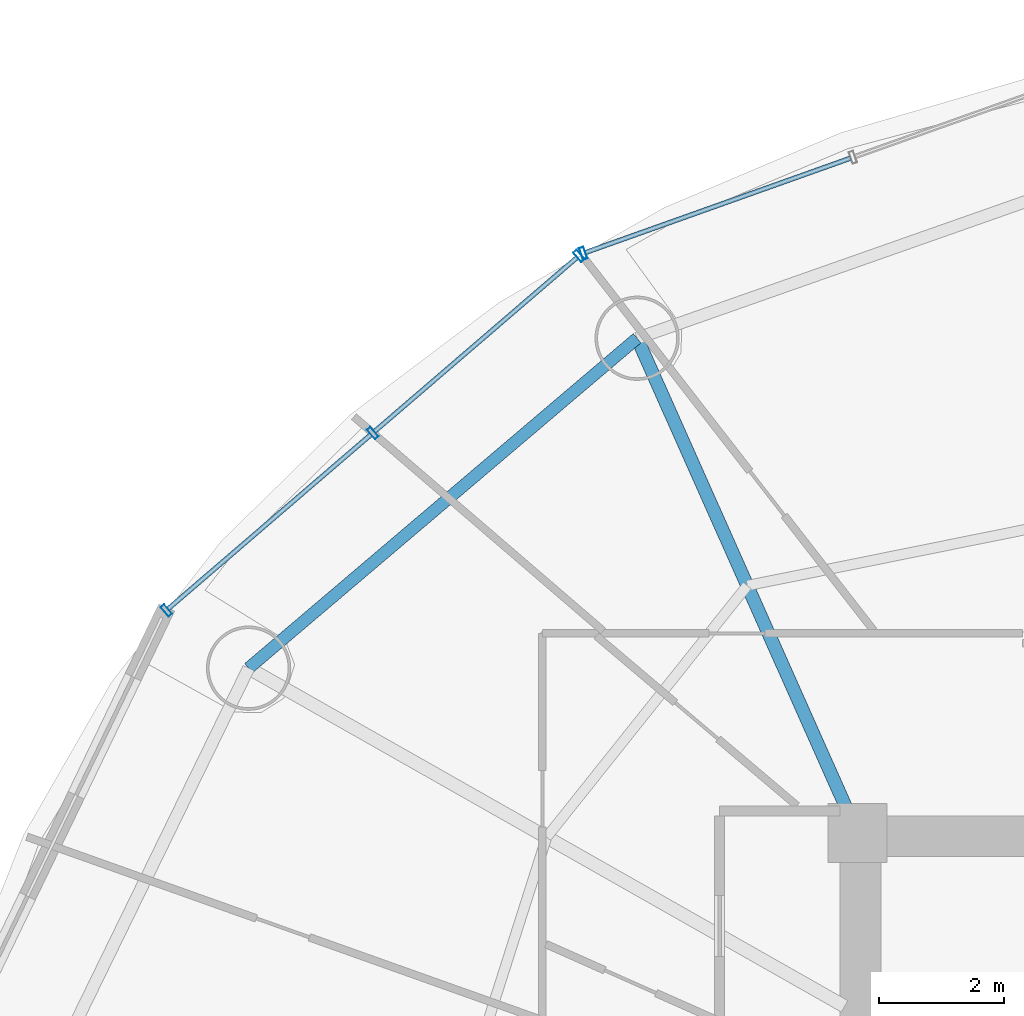
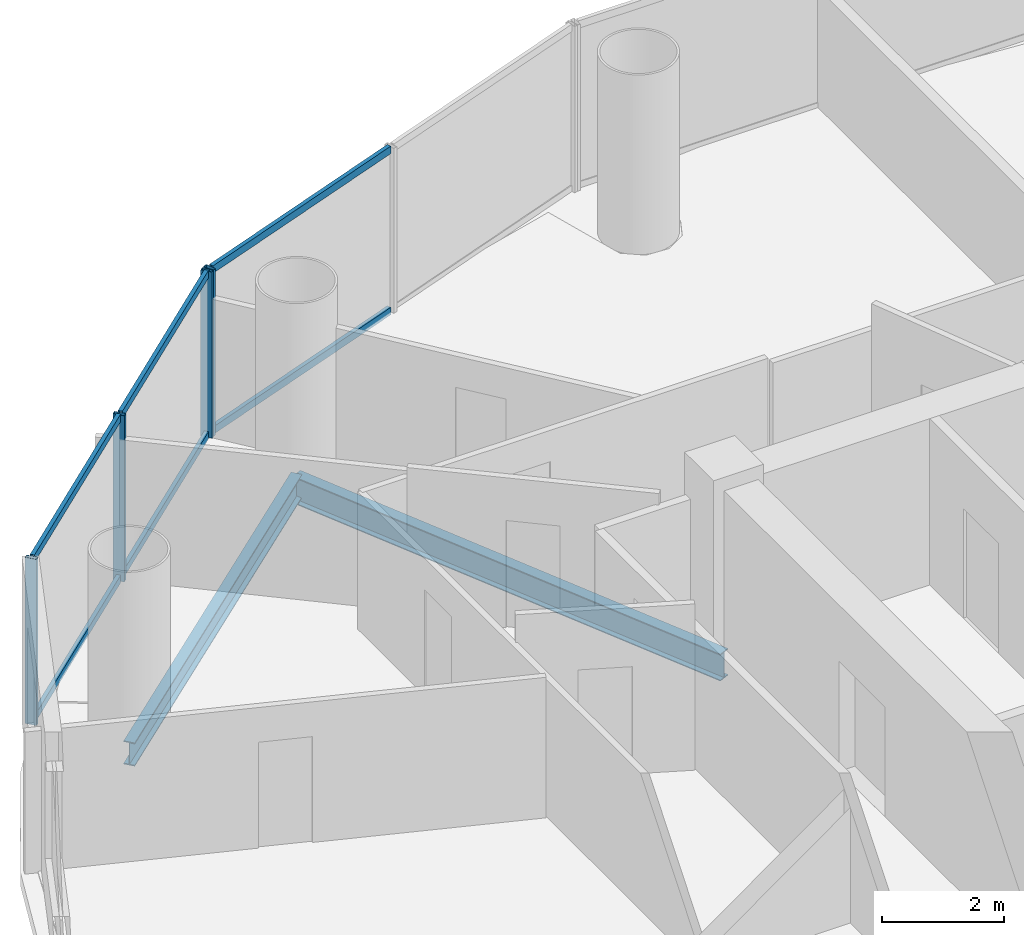
# One storey, part 14 of 27: 10 members, 2 beams, 2 elements without a shape of their own.
"""IFC4 building model written with IfcOpenShell, lengths in metres."""

from ifc_helpers import new_model, si_unit, direction, frame, origin, origin_2d, place, context, subcontext, project, spatial, hollow_rectangle, i_section, extrude, source, transform, mapped, material, material_profile, profile_set, type_object, element, aggregate, save


model = new_model("IFC4")

# Units and contexts
model_context = context("Model", 3, precision=1e-05, world=origin(), true_north=direction((-0.2419218956, 0.970295726276)))
body_context = subcontext(model_context, "Body", "Model", "MODEL_VIEW")
ifc_project = project(units=[si_unit("LENGTHUNIT", "METRE"), si_unit("AREAUNIT", "SQUARE_METRE"), si_unit("VOLUMEUNIT", "CUBIC_METRE"), si_unit("PLANEANGLEUNIT", "RADIAN"), si_unit("MASSUNIT", "GRAM", prefix="KILO")], contexts=[model_context])

# Site, building, storey
site_placement = place(None, origin())
site = spatial("IfcSite", under=ifc_project, at=site_placement, CompositionType="ELEMENT")
building_placement = place(site_placement, origin())
building = spatial("IfcBuilding", under=site, at=building_placement, Name="Cobrevalo Terracotta Tower", CompositionType="ELEMENT")
storey_placement = place(building_placement, frame((0.0, 0.0, 164.199951171875)))
storey = spatial("IfcBuildingStorey", under=building, at=storey_placement, Name="L43", CompositionType="ELEMENT", Elevation=164.199951171875)

# Beams
ifc_material_1 = material(Name="Steel S355", Category="steel")
ifc_material_profile_1 = material_profile(ifc_material_1, i_section(OverallWidth=0.2109375, OverallDepth=0.5390625, WebThickness=0.01171875, FlangeThickness=0.018798828125, at=origin_2d()), Name="W 530x109")
ifc_profile_set_1 = profile_set([ifc_material_profile_1], Name="Steel S355")
beam_type_1 = type_object("IfcBeamType", Name="Structural Beam W 530x109 (Steel S355)", PredefinedType="BEAM", material=ifc_profile_set_1)
beam_1_placement = place(storey_placement, frame((25.471923828125, 42.72265625, -0.53955078125), z_axis=(0.406804395691, -0.913515289224, 0.0), x_axis=(0.913515289224, 0.406804395691, 0.0)))
element("IfcBeam", 1, at=beam_1_placement, inside=storey, type_object=beam_type_1, Name="L43 radial floor girder 06", PredefinedType="BEAM", context=body_context, shape_type="SweptSolid", body=[
    extrude(i_section(OverallWidth=0.2109375, OverallDepth=0.5390625, WebThickness=0.01171875, FlangeThickness=0.018798828125, at=origin_2d()), origin(), (0.0, 0.0, 1.0), 8.672607421875),
])
ifc_material_profile_2 = material_profile(ifc_material_1, i_section(OverallWidth=0.194091796875, OverallDepth=0.468994140625, WebThickness=0.011474609375, FlangeThickness=0.0205078125, at=origin_2d()), Name="W 460x106")
ifc_profile_set_2 = profile_set([ifc_material_profile_2], Name="Steel S355")
beam_type_2 = type_object("IfcBeamType", Name="Structural Spandrel W 460x106 (Steel S355)", PredefinedType="SPANDREL", material=ifc_profile_set_2)
beam_2_placement = place(storey_placement, frame((25.471923828125, 42.72265625, -0.50439453125), z_axis=(-0.762240337798, -0.647294112003, 0.0), x_axis=(0.647294112003, -0.762240337798, 0.0)))
element("IfcBeam", 2, at=beam_2_placement, inside=storey, type_object=beam_type_2, Name="L43 perimeter ring spandrel 06", PredefinedType="SPANDREL", context=body_context, shape_type="SweptSolid", body=[
    extrude(i_section(OverallWidth=0.194091796875, OverallDepth=0.468994140625, WebThickness=0.011474609375, FlangeThickness=0.0205078125, at=origin_2d()), origin(), (0.0, 0.0, 1.0), 8.162353515625),
])

# Curtain wall, member
ifc_material_2 = material(Name="Anodized aluminium", Category="aluminium")
curtain_wall_type = type_object("IfcCurtainWallType", Name="Mid-tower high-wind unitised curtain wall CW-U2", PredefinedType="NOTDEFINED", material=ifc_material_2)
curtain_wall_1_placement = place(storey_placement, origin())
curtain_wall_1 = element("IfcCurtainWall", 3, at=curtain_wall_1_placement, inside=storey, type_object=curtain_wall_type, Name="L43 curtain wall CW-L43-S05", PredefinedType="NOTDEFINED")
ifc_material_profile_3 = material_profile(ifc_material_2, hollow_rectangle(XDim=0.074951171875, YDim=0.199951171875, WallThickness=0.0048828125, at=origin_2d()), Name="CWM 75x200")
ifc_profile_set_3 = profile_set([ifc_material_profile_3], Name="Anodized aluminium")
member_type_1 = type_object("IfcMemberType", Name="Lower/mid tower unitised mullion 75x200", PredefinedType="MULLION", material=ifc_profile_set_3)
shared_shape_1 = source(origin(), body_context, "Body", "SweptSolid", [
    extrude(hollow_rectangle(XDim=0.074951171875, YDim=0.199951171875, WallThickness=0.0048828125, at=origin_2d()), origin(), (0.0, 0.0, 1.0), 3.330078125),
])
member_1_placement = place(storey_placement, frame((24.609619140625, 44.0830078125, 0.0), z_axis=(0.0, 0.0, 1.0), x_axis=(-0.942098428897, -0.335336473217, 0.0)))
member_1 = element("IfcMember", 4, at=member_1_placement, type_object=member_type_1, Name="CW-L43-S05 vertical mullion 03", PredefinedType="MULLION", context=body_context, shape_type="MappedRepresentation", body=[
    mapped(shared_shape_1, transform((0.0, 0.0, 0.0), scale=1.0)),
])

# Curtain wall, members
curtain_wall_2_placement = place(storey_placement, origin())
curtain_wall_2 = element("IfcCurtainWall", 5, at=curtain_wall_2_placement, inside=storey, type_object=curtain_wall_type, Name="L43 curtain wall CW-L43-S06", PredefinedType="NOTDEFINED")
member_2_placement = place(storey_placement, frame((24.54150390625, 44.04345703125, 0.0), z_axis=(0.0, 0.0, 1.0), x_axis=(-0.758441546142, -0.65174106905, 0.0)))
member_2 = element("IfcMember", 6, at=member_2_placement, type_object=member_type_1, Name="CW-L43-S06 vertical mullion 01", PredefinedType="MULLION", context=body_context, shape_type="MappedRepresentation", body=[
    mapped(shared_shape_1, transform((0.0, 0.0, 0.0), scale=1.0)),
])
member_3_placement = place(storey_placement, frame((21.237548828125, 41.204345703125, 0.0), z_axis=(0.0, 0.0, 1.0), x_axis=(-0.758441546142, -0.65174106905, 0.0)))
member_3 = element("IfcMember", 7, at=member_3_placement, type_object=member_type_1, Name="CW-L43-S06 vertical mullion 02", PredefinedType="MULLION", context=body_context, shape_type="MappedRepresentation", body=[
    mapped(shared_shape_1, transform((0.0, 0.0, 0.0), scale=1.0)),
])
member_4_placement = place(storey_placement, frame((17.933837890625, 38.365234375, 0.0), z_axis=(0.0, 0.0, 1.0), x_axis=(-0.758441546142, -0.65174106905, 0.0)))
member_4 = element("IfcMember", 8, at=member_4_placement, type_object=member_type_1, Name="CW-L43-S06 vertical mullion 03", PredefinedType="MULLION", context=body_context, shape_type="MappedRepresentation", body=[
    mapped(shared_shape_1, transform((0.0, 0.0, 0.0), scale=1.0)),
])
ifc_material_profile_4 = material_profile(ifc_material_2, hollow_rectangle(XDim=0.074951171875, YDim=0.14990234375, WallThickness=0.00439453125, at=origin_2d()), Name="CWT 75x150")
ifc_profile_set_4 = profile_set([ifc_material_profile_4], Name="Anodized aluminium")
member_type_2 = type_object("IfcMemberType", Name="Tower unitised aluminium transom 75x150", PredefinedType="USERDEFINED", material=ifc_profile_set_4)
shared_shape_2 = source(origin(), body_context, "Body", "SweptSolid", [
    extrude(hollow_rectangle(XDim=0.074951171875, YDim=0.14990234375, WallThickness=0.00439453125, at=origin_2d()), origin(), (0.0, 0.0, 1.0), 4.276123046875),
])
member_5_placement = place(storey_placement, frame((24.51123046875, 44.017578125, 0.050048828125), z_axis=(-0.758417719247, -0.651768795764, 0.0), x_axis=(0.651768795764, -0.758417719247, 0.0)))
member_5 = element("IfcMember", 9, at=member_5_placement, type_object=member_type_2, Name="CW-L43-S06 transom B01-T1", ObjectType="TRANSOM", PredefinedType="USERDEFINED", context=body_context, shape_type="MappedRepresentation", body=[
    mapped(shared_shape_2, transform((0.0, 0.0, 0.0), scale=1.0)),
])
member_6_placement = place(storey_placement, frame((24.51123046875, 44.017578125, 3.280029296875), z_axis=(-0.758417719247, -0.651768795764, 0.0), x_axis=(0.651768795764, -0.758417719247, 0.0)))
member_6 = element("IfcMember", 10, at=member_6_placement, type_object=member_type_2, Name="CW-L43-S06 transom B01-T2", ObjectType="TRANSOM", PredefinedType="USERDEFINED", context=body_context, shape_type="MappedRepresentation", body=[
    mapped(shared_shape_2, transform((0.0, 0.0, 0.0), scale=1.0)),
])
member_7_placement = place(storey_placement, frame((21.207275390625, 41.17822265625, 0.050048828125), z_axis=(-0.758445941187, -0.65173595443, 0.0), x_axis=(0.65173595443, -0.758445941187, 0.0)))
member_7 = element("IfcMember", 11, at=member_7_placement, type_object=member_type_2, Name="CW-L43-S06 transom B02-T1", ObjectType="TRANSOM", PredefinedType="USERDEFINED", context=body_context, shape_type="MappedRepresentation", body=[
    mapped(shared_shape_2, transform((0.0, 0.0, 0.0), scale=1.0)),
])
member_8_placement = place(storey_placement, frame((21.207275390625, 41.17822265625, 3.280029296875), z_axis=(-0.758445941187, -0.65173595443, 0.0), x_axis=(0.65173595443, -0.758445941187, 0.0)))
member_8 = element("IfcMember", 12, at=member_8_placement, type_object=member_type_2, Name="CW-L43-S06 transom B02-T2", ObjectType="TRANSOM", PredefinedType="USERDEFINED", context=body_context, shape_type="MappedRepresentation", body=[
    mapped(shared_shape_2, transform((0.0, 0.0, 0.0), scale=1.0)),
])
aggregate(curtain_wall_2, [member_2, member_3, member_4, member_5, member_6, member_7, member_8])

# Member
shared_shape_3 = source(origin(), body_context, "Body", "SweptSolid", [
    extrude(hollow_rectangle(XDim=0.074951171875, YDim=0.14990234375, WallThickness=0.00439453125, at=origin_2d()), origin(), (0.0, 0.0, 1.0), 4.504150390625),
])
member_9_placement = place(storey_placement, frame((28.890625, 45.60693359375, 0.050048828125), z_axis=(-0.942093344241, -0.335350757771, 0.0), x_axis=(0.335350757771, -0.942093344241, 0.0)))
member_9 = element("IfcMember", 13, at=member_9_placement, type_object=member_type_2, Name="CW-L43-S05 transom B02-T1", ObjectType="TRANSOM", PredefinedType="USERDEFINED", context=body_context, shape_type="MappedRepresentation", body=[
    mapped(shared_shape_3, transform((0.0, 0.0, 0.0), scale=1.0)),
])

member_10_placement = place(storey_placement, frame((28.890625, 45.60693359375, 3.280029296875), z_axis=(-0.942093344241, -0.335350757771, 0.0), x_axis=(0.335350757771, -0.942093344241, 0.0)))
member_10 = element("IfcMember", 14, at=member_10_placement, type_object=member_type_2, Name="CW-L43-S05 transom B02-T2", ObjectType="TRANSOM", PredefinedType="USERDEFINED", context=body_context, shape_type="MappedRepresentation", body=[
    mapped(shared_shape_3, transform((0.0, 0.0, 0.0), scale=1.0)),
])

aggregate(curtain_wall_1, [member_1, member_9, member_10])

save(model, "model.ifc")
